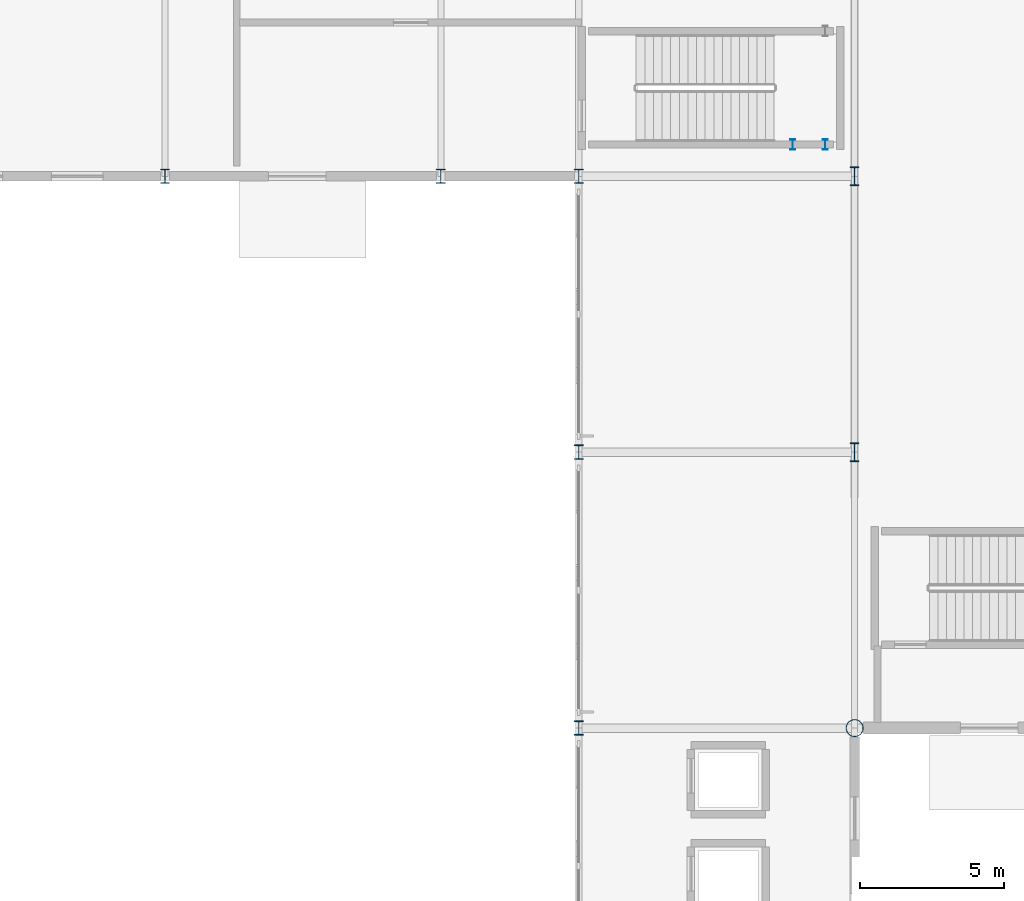
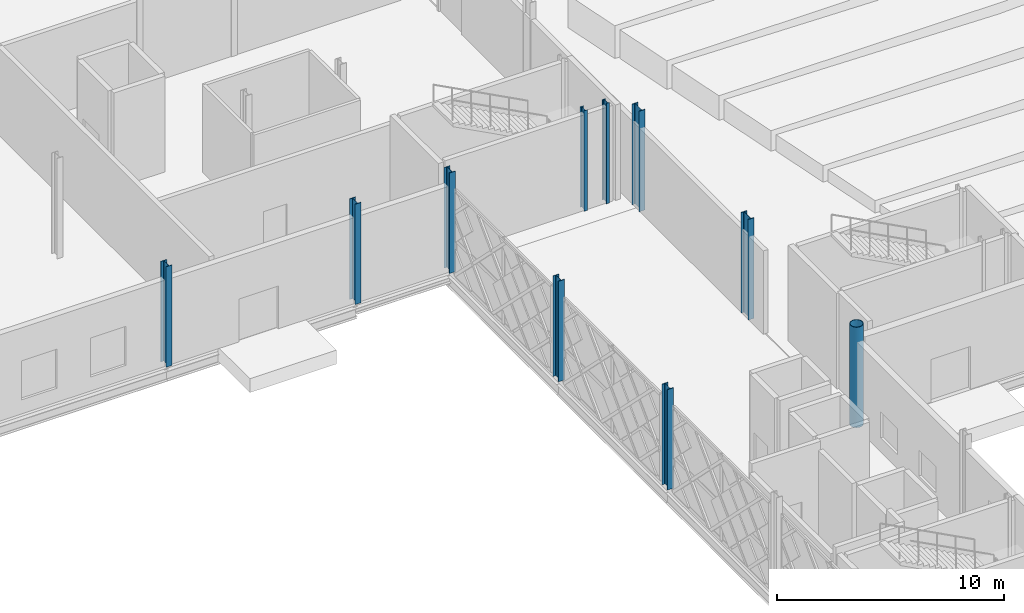
# One storey, part 16 of 84: 10 columns.
"""IFC4 building model written with IfcOpenShell, lengths in metres."""

from ifc_helpers import new_model, si_unit, direction, frame, origin, origin_2d, place, context, subcontext, project, spatial, hollow_circle, i_section, extrude, material, material_profile, profile_set, type_object, element, save


model = new_model("IFC4")

# Units and contexts
model_context = context("Model", 3, precision=1e-05, world=origin(), true_north=direction((0.0, 1.0)))
body_context = subcontext(model_context, "Body", "Model", "MODEL_VIEW")
ifc_project = project(units=[si_unit("LENGTHUNIT", "METRE"), si_unit("AREAUNIT", "SQUARE_METRE"), si_unit("VOLUMEUNIT", "CUBIC_METRE"), si_unit("PLANEANGLEUNIT", "RADIAN"), si_unit("MASSUNIT", "GRAM", prefix="KILO")], contexts=[model_context])

# Site, building, storey
site_placement = place(None, origin())
site = spatial("IfcSite", under=ifc_project, at=site_placement, CompositionType="ELEMENT")
building_placement = place(site_placement, origin())
building = spatial("IfcBuilding", under=site, at=building_placement, Name="Zevrakil Square Congress Hotel", CompositionType="ELEMENT")
storey_placement = place(building_placement, origin())
storey = spatial("IfcBuildingStorey", under=building, at=storey_placement, Name="L01", CompositionType="ELEMENT", Elevation=0.0)

# Columns
ifc_material_1 = material(Name="Steel S355", Category="steel")
ifc_material_profile_1 = material_profile(ifc_material_1, hollow_circle(Radius=0.304931640625, WallThickness=0.02490234375, at=origin_2d()), Name="CHS 610x25")
ifc_profile_set_1 = profile_set([ifc_material_profile_1], Name="Steel S355")
column_type_1 = type_object("IfcColumnType", Name="COL-CHS610", PredefinedType="COLUMN", material=ifc_profile_set_1)
column_placement = place(storey_placement, frame((117.60009765625, 64.800048828125, 0.0), z_axis=(0.0, 0.0, 1.0), x_axis=(1.0, 0.0, 0.0)))
element("IfcColumn", 1, at=column_placement, inside=storey, type_object=column_type_1, Name="L01 column C-188", PredefinedType="COLUMN", context=body_context, shape_type="SweptSolid", body=[
    extrude(hollow_circle(Radius=0.304931640625, WallThickness=0.02490234375, at=origin_2d()), origin(), (0.0, 0.0, 1.0), 5.39990234375),
])
ifc_material_2 = material(Name="Steel S355", Category="steel")
ifc_material_profile_2 = material_profile(ifc_material_2, i_section(OverallWidth=0.300048828125, OverallDepth=0.5, WebThickness=0.014404296875, FlangeThickness=0.028076171875, FilletRadius=0.027099609375, at=origin_2d()), Name="HEB 500")
ifc_profile_set_2 = profile_set([ifc_material_profile_2], Name="Steel S355")
column_type_2 = type_object("IfcColumnType", Name="COL-HEB500", PredefinedType="COLUMN", material=ifc_profile_set_2)
for number, where, z_axis, x_axis, name in (
    (2, (93.60009765625, 84.0, 0.0), (0.0, 0.0, 1.0), (1.0, 0.0, 0.0), "L01 column C-144"),
    (3, (103.199951171875, 84.0, 0.0), (0.0, 0.0, 1.0), (1.0, 0.0, 0.0), "L01 column C-158"),
    (4, (108.0, 64.800048828125, 0.0), (0.0, 0.0, 1.0), (1.0, 0.0, 0.0), "L01 column C-170"),
    (5, (108.0, 74.39990234375, 0.0), (0.0, 0.0, 1.0), (1.0, 0.0, 0.0), "L01 column C-171"),
    (6, (108.0, 84.0, 0.0), (0.0, 0.0, 1.0), (1.0, 0.0, 0.0), "L01 column C-172"),
):
    element("IfcColumn", number, at=place(storey_placement, frame(where, z_axis=z_axis, x_axis=x_axis)), inside=storey, type_object=column_type_2, Name=name, PredefinedType="COLUMN", context=body_context, shape_type="SweptSolid", body=[
        extrude(i_section(OverallWidth=0.300048828125, OverallDepth=0.5, WebThickness=0.014404296875, FlangeThickness=0.028076171875, FilletRadius=0.027099609375, at=origin_2d()), origin(), (0.0, 0.0, 1.0), 5.39990234375),
    ])
ifc_material_3 = material(Name="Steel S355", Category="steel")
ifc_material_profile_3 = material_profile(ifc_material_3, i_section(OverallWidth=0.300048828125, OverallDepth=0.64990234375, WebThickness=0.01611328125, FlangeThickness=0.031005859375, FilletRadius=0.027099609375, at=origin_2d()), Name="HEB 650")
ifc_profile_set_3 = profile_set([ifc_material_profile_3], Name="Steel S355")
column_type_3 = type_object("IfcColumnType", Name="COL-HEB650", PredefinedType="COLUMN", material=ifc_profile_set_3)
for number, where, z_axis, x_axis, name in (
    (7, (117.60009765625, 74.39990234375, 0.0), (0.0, 0.0, 1.0), (1.0, 0.0, 0.0), "L01 column C-189"),
    (8, (117.60009765625, 84.0, 0.0), (0.0, 0.0, 1.0), (1.0, 0.0, 0.0), "L01 column C-190"),
):
    element("IfcColumn", number, at=place(storey_placement, frame(where, z_axis=z_axis, x_axis=x_axis)), inside=storey, type_object=column_type_3, Name=name, PredefinedType="COLUMN", context=body_context, shape_type="SweptSolid", body=[
        extrude(i_section(OverallWidth=0.300048828125, OverallDepth=0.64990234375, WebThickness=0.01611328125, FlangeThickness=0.031005859375, FilletRadius=0.027099609375, at=origin_2d()), origin(), (0.0, 0.0, 1.0), 5.39990234375),
    ])
ifc_material_4 = material(Name="Steel S355", Category="steel")
ifc_material_profile_4 = material_profile(ifc_material_4, i_section(OverallWidth=0.169921875, OverallDepth=0.360107421875, WebThickness=0.008056640625, FlangeThickness=0.0126953125, FilletRadius=0.01806640625, at=origin_2d()), Name="IPE 360")
ifc_profile_set_4 = profile_set([ifc_material_profile_4], Name="Steel S355")
column_type_4 = type_object("IfcColumnType", Name="COL-PILASTER-SHS180", PredefinedType="PILASTER", material=ifc_profile_set_4)
for number, where, z_axis, x_axis, name in (
    (9, (115.449951171875, 85.10009765625, 0.0), (0.0, 0.0, 1.0), (1.0, 0.0, 0.0), "L01 ST06 stair shaft post 1"),
    (10, (116.580078125, 85.10009765625, 0.0), (0.0, 0.0, 1.0), (1.0, 0.0, 0.0), "L01 ST06 stair shaft post 2"),
):
    element("IfcColumn", number, at=place(storey_placement, frame(where, z_axis=z_axis, x_axis=x_axis)), inside=storey, type_object=column_type_4, Name=name, PredefinedType="PILASTER", context=body_context, shape_type="SweptSolid", body=[
        extrude(i_section(OverallWidth=0.169921875, OverallDepth=0.360107421875, WebThickness=0.008056640625, FlangeThickness=0.0126953125, FilletRadius=0.01806640625, at=origin_2d()), origin(), (0.0, 0.0, 1.0), 5.39990234375),
    ])

save(model, "model.ifc")
